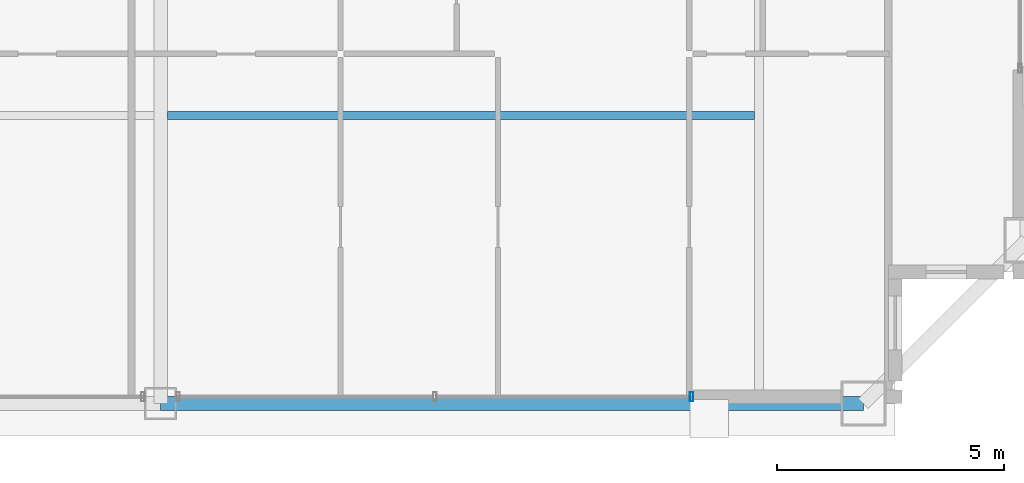
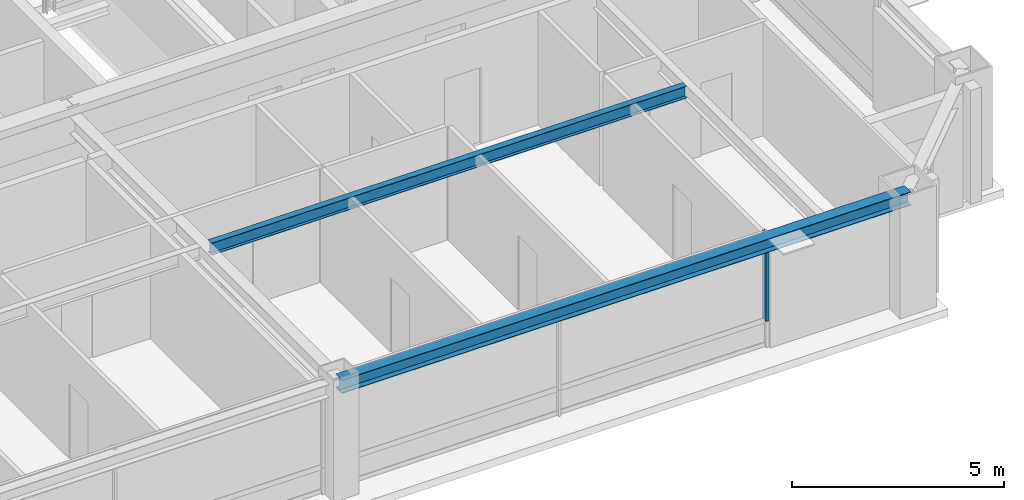
# One storey, part 9 of 35: 2 beams, 1 member, 1 element without a shape of its own.
"""IFC4 building model written with IfcOpenShell, lengths in metres."""

from ifc_helpers import new_model, si_unit, direction, frame, origin, origin_2d, place, context, subcontext, project, spatial, hollow_rectangle, i_section, extrude, source, transform, mapped, material, layer, layer_set, material_profile, profile_set, type_object, element, aggregate, save


model = new_model("IFC4")

# Units and contexts
model_context = context("Model", 3, precision=1e-05, world=origin(), true_north=direction((0.0, 1.0)))
body_context = subcontext(model_context, "Body", "Model", "MODEL_VIEW")
ifc_project = project(units=[si_unit("LENGTHUNIT", "METRE"), si_unit("AREAUNIT", "SQUARE_METRE"), si_unit("VOLUMEUNIT", "CUBIC_METRE"), si_unit("PLANEANGLEUNIT", "RADIAN"), si_unit("MASSUNIT", "GRAM", prefix="KILO"), si_unit("THERMODYNAMICTEMPERATUREUNIT", "KELVIN"), si_unit("POWERUNIT", "WATT")], contexts=[model_context])

# Site, building, storey
site_placement = place(None, origin())
site = spatial("IfcSite", under=ifc_project, at=site_placement, CompositionType="ELEMENT")
building_placement = place(site_placement, origin())
building = spatial("IfcBuilding", under=site, at=building_placement, Name="Yuzanri Waterfront Tower", CompositionType="ELEMENT")
storey_placement = place(building_placement, frame((0.0, 0.0, 296.10009765625)))
storey = spatial("IfcBuildingStorey", under=building, at=storey_placement, Name="L79", CompositionType="ELEMENT", Elevation=296.10009765625)

# Beams
ifc_material_1 = material(Name="Steel Q355B", Category="steel")
ifc_material_profile_1 = material_profile(ifc_material_1, i_section(OverallWidth=0.175048828125, OverallDepth=0.35009765625, WebThickness=0.007080078125, FlangeThickness=0.010986328125, at=origin_2d()), Name="HN 350x175x7x11")
ifc_profile_set_1 = profile_set([ifc_material_profile_1], Name="Steel Q355B")
beam_type_1 = type_object("IfcBeamType", Name="Floor Joist Q355B HN 350x175", PredefinedType="JOIST", material=ifc_profile_set_1)
shared_shape_1 = source(origin(), body_context, "Body", "SweptSolid", [
    extrude(i_section(OverallWidth=0.175048828125, OverallDepth=0.35009765625, WebThickness=0.007080078125, FlangeThickness=0.010986328125, at=origin_2d()), origin(), (0.0, 0.0, 1.0), 12.9501953125),
])
beam_1_placement = place(storey_placement, frame((37.14990234375, 13.050048828125, 3.10498046875), z_axis=(1.0, 0.0, 0.0), x_axis=(0.0, 1.0, 0.0)))
element("IfcBeam", 1, at=beam_1_placement, inside=storey, type_object=beam_type_1, Name="L79 South Bay Joist E", PredefinedType="JOIST", context=body_context, shape_type="MappedRepresentation", body=[
    mapped(shared_shape_1, transform((0.0, 0.0, 0.0), scale=1.0)),
])
ifc_material_2 = material(Name="Steel Q355B", Category="steel")
ifc_material_profile_2 = material_profile(ifc_material_2, i_section(OverallWidth=0.300048828125, OverallDepth=0.389892578125, WebThickness=0.010009765625, FlangeThickness=0.01611328125, at=origin_2d()), Name="HM 390x300x10x16")
ifc_profile_set_2 = profile_set([ifc_material_profile_2], Name="Steel Q355B")
beam_type_2 = type_object("IfcBeamType", Name="Perimeter Spandrel Q355B HM 390x300", PredefinedType="SPANDREL", material=ifc_profile_set_2)
shared_shape_2 = source(origin(), body_context, "Body", "SweptSolid", [
    extrude(i_section(OverallWidth=0.300048828125, OverallDepth=0.389892578125, WebThickness=0.010009765625, FlangeThickness=0.01611328125, at=origin_2d()), origin(), (0.0, 0.0, 1.0), 15.5),
])
beam_2_placement = place(storey_placement, frame((37.0, 6.699951171875, 3.0849609375), z_axis=(1.0, 0.0, 0.0), x_axis=(0.0, 1.0, 0.0)))
element("IfcBeam", 2, at=beam_2_placement, inside=storey, type_object=beam_type_2, Name="L79 Perimeter Spandrel S2-S3", PredefinedType="SPANDREL", context=body_context, shape_type="MappedRepresentation", body=[
    mapped(shared_shape_2, transform((0.0, 0.0, 0.0), scale=1.0)),
])

# Curtain wall, member
ifc_material_3 = material(Name="Anodized Architectural Bronze", Category="metal")
ifc_layer = layer(ifc_material_3, 0.159912109375)
ifc_layer_set = layer_set([ifc_layer], Name="Anodized Architectural Bronze")
curtain_wall_type = type_object("IfcCurtainWallType", Name="Anodized Bronze High-Rise Penthouse High-Wind Unitized Curtain Wall 6900", PredefinedType="NOTDEFINED", material=ifc_layer_set)
curtain_wall_placement = place(storey_placement, origin())
curtain_wall = element("IfcCurtainWall", 3, at=curtain_wall_placement, inside=storey, type_object=curtain_wall_type, Name="L79 Curtain Wall CW-L79-SR", PredefinedType="NOTDEFINED")
ifc_material_4 = material(Name="Anodized Architectural Bronze", Category="metal")
ifc_material_profile_3 = material_profile(ifc_material_4, hollow_rectangle(XDim=0.074951171875, YDim=0.199951171875, WallThickness=0.00390625, at=origin_2d()), Name="CWM 75x200")
ifc_profile_set_3 = profile_set([ifc_material_profile_3], Name="Anodized Architectural Bronze")
member_type = type_object("IfcMemberType", Name="Anodized Bronze Primary Curtain-Wall Mullion 75x200", PredefinedType="MULLION", material=ifc_profile_set_3)
shared_shape_3 = source(origin(), body_context, "Body", "SweptSolid", [
    extrude(hollow_rectangle(XDim=0.074951171875, YDim=0.199951171875, WallThickness=0.00390625, at=origin_2d()), origin(), (0.0, 0.0, 1.0), 2.52392578125),
])
member_placement = place(storey_placement, frame((48.7099609375, 6.85009765625, 0.755859375), z_axis=(0.0, 0.0, 1.0), x_axis=(1.0, 0.0, 0.0)))
member = element("IfcMember", 4, at=member_placement, type_object=member_type, Name="CW-L79-SR Upper Mullion 02", PredefinedType="MULLION", context=body_context, shape_type="MappedRepresentation", body=[
    mapped(shared_shape_3, transform((0.0, 0.0, 0.0), scale=1.0)),
])
aggregate(curtain_wall, [member])

save(model, "model.ifc")
